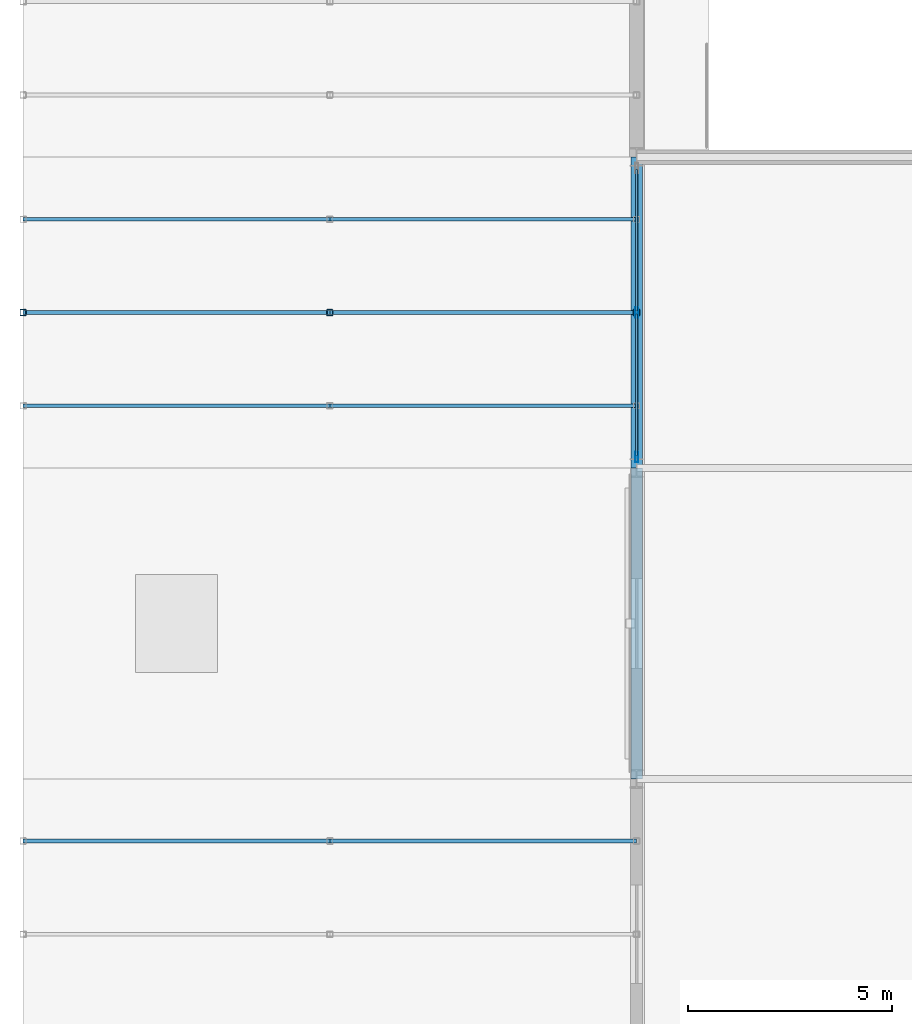
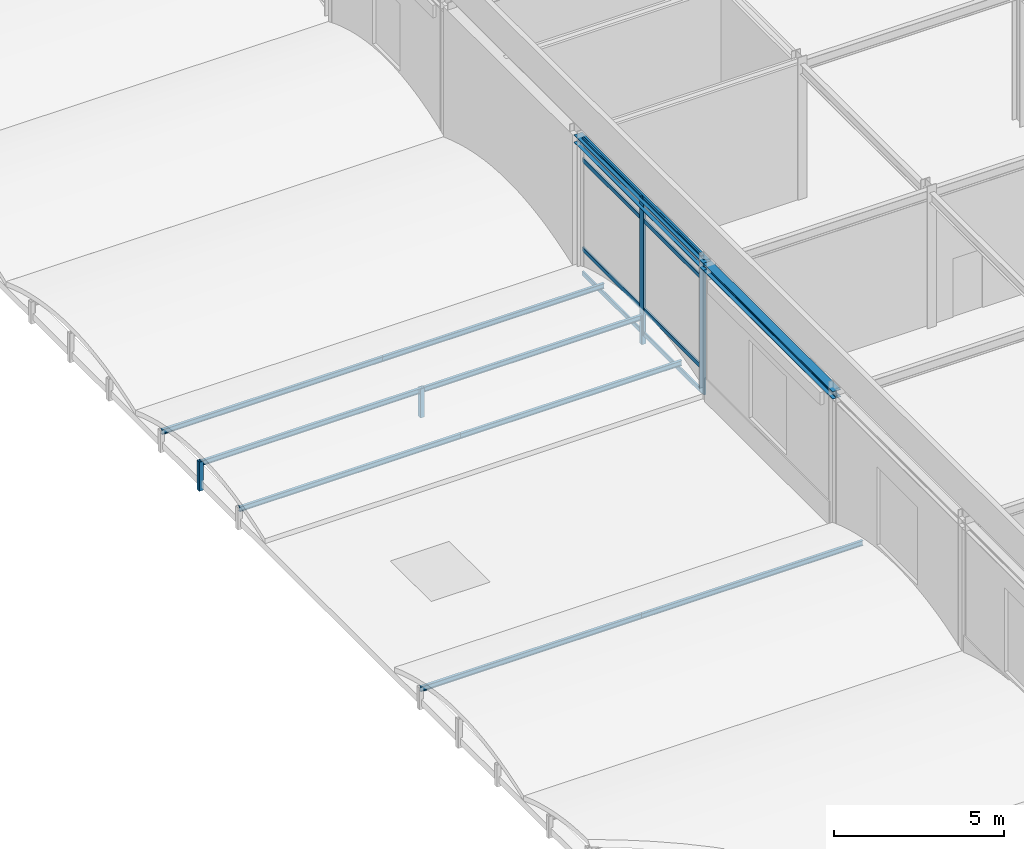
# One storey, part 37 of 113: 21 members, 2 beams, 1 element without a shape of its own.
"""IFC4 building model written with IfcOpenShell, lengths in metres."""

from ifc_helpers import new_model, si_unit, direction, frame, origin, origin_2d, place, context, subcontext, project, spatial, hollow_rectangle, i_section, extrude, material, layer, layer_set, material_profile, profile_set, type_object, element, aggregate, save


model = new_model("IFC4")

# Units and contexts
model_context = context("Model", 3, precision=1e-05, world=origin(), true_north=direction((0.0, 1.0)))
body_context = subcontext(model_context, "Body", "Model", "MODEL_VIEW")
ifc_project = project(units=[si_unit("LENGTHUNIT", "METRE"), si_unit("AREAUNIT", "SQUARE_METRE"), si_unit("VOLUMEUNIT", "CUBIC_METRE"), si_unit("PLANEANGLEUNIT", "RADIAN"), si_unit("MASSUNIT", "GRAM", prefix="KILO")], contexts=[model_context])

# Site, building, storey
site_placement = place(None, origin())
site = spatial("IfcSite", under=ifc_project, at=site_placement, CompositionType="ELEMENT")
building_placement = place(site_placement, origin())
building = spatial("IfcBuilding", under=site, at=building_placement, Name="Shalkamar Park Central Library", CompositionType="ELEMENT")
storey_placement = place(building_placement, frame((0.0, 0.0, 5.39990234375)))
storey = spatial("IfcBuildingStorey", under=building, at=storey_placement, Name="L02", CompositionType="ELEMENT", Elevation=5.39990234375)

# Curtain wall, members
ifc_material_1 = material(Name="Thermally broken aluminium and triple low-e curtain wall", Category="aluminium")
ifc_layer = layer(ifc_material_1, 0.25)
ifc_layer_set = layer_set([ifc_layer], Name="UnitisedCurtainWall_22")
curtain_wall_type = type_object("IfcCurtainWallType", Name="Unitised Curtain Wall 22", PredefinedType="USERDEFINED", material=ifc_layer_set)
curtain_wall_placement = place(storey_placement, origin())
curtain_wall = element("IfcCurtainWall", 1, at=curtain_wall_placement, inside=storey, type_object=curtain_wall_type, Name="Unitised Curtain Wall CW-L02-042", ObjectType="UNITISED CURTAIN WALL", PredefinedType="USERDEFINED")
ifc_material_2 = material(Name="Aluminium 6060-T66", Category="aluminium")
ifc_material_profile_1 = material_profile(ifc_material_2, hollow_rectangle(XDim=0.074951171875, YDim=0.25, WallThickness=0.00390625, InnerFilletRadius=0.00390625, OuterFilletRadius=0.006103515625, at=origin_2d()), Name="ALU 75x250x4")
ifc_profile_set_1 = profile_set([ifc_material_profile_1], Name="Aluminium 6060-T66")
member_type_1 = type_object("IfcMemberType", Name="Curtain Wall Mullion ALU75x250", PredefinedType="MULLION", material=ifc_profile_set_1)
member_1_placement = place(storey_placement, frame((135.0, 316.2666015625, 0.0), z_axis=(0.0, 0.0, 1.0), x_axis=(-1.0, 0.0, 0.0)))
member_1 = element("IfcMember", 2, at=member_1_placement, type_object=member_type_1, Name="CW-22 mullion 1", PredefinedType="MULLION", context=body_context, shape_type="SweptSolid", body=[
    extrude(hollow_rectangle(XDim=0.074951171875, YDim=0.25, WallThickness=0.00390625, InnerFilletRadius=0.00390625, OuterFilletRadius=0.006103515625, at=origin_2d()), origin(), (0.0, 0.0, 1.0), 4.85009765625),
])
member_2_placement = place(storey_placement, frame((135.0, 319.800048828125, 0.0), z_axis=(0.0, 0.0, 1.0), x_axis=(-1.0, 0.0, 0.0)))
member_2 = element("IfcMember", 3, at=member_2_placement, type_object=member_type_1, Name="CW-22 mullion 2", PredefinedType="MULLION", context=body_context, shape_type="SweptSolid", body=[
    extrude(hollow_rectangle(XDim=0.074951171875, YDim=0.25, WallThickness=0.00390625, InnerFilletRadius=0.00390625, OuterFilletRadius=0.006103515625, at=origin_2d()), origin(), (0.0, 0.0, 1.0), 4.85009765625),
])
ifc_material_profile_2 = material_profile(ifc_material_2, hollow_rectangle(XDim=0.06005859375, YDim=0.159912109375, WallThickness=0.00390625, InnerFilletRadius=0.00390625, OuterFilletRadius=0.006103515625, at=origin_2d()), Name="ALU 60x160x4")
ifc_profile_set_2 = profile_set([ifc_material_profile_2], Name="Aluminium 6060-T66")
member_type_2 = type_object("IfcMemberType", Name="Curtain Wall Transom ALU60x160", PredefinedType="USERDEFINED", material=ifc_profile_set_2)
member_3_placement = place(storey_placement, frame((135.0, 316.303955078125, 0.030029296875), z_axis=(0.0, 1.0, 0.0), x_axis=(-1.0, 0.0, 0.0)))
member_3 = element("IfcMember", 4, at=member_3_placement, type_object=member_type_2, Name="CW-22 transom 1.1", ObjectType="TRANSOM", PredefinedType="USERDEFINED", context=body_context, shape_type="SweptSolid", body=[
    extrude(hollow_rectangle(XDim=0.06005859375, YDim=0.159912109375, WallThickness=0.00390625, InnerFilletRadius=0.00390625, OuterFilletRadius=0.006103515625, at=origin_2d()), origin(), (0.0, 0.0, 1.0), 3.45849609375),
])
member_4_placement = place(storey_placement, frame((135.0, 316.303955078125, 0.900146484375), z_axis=(0.0, 1.0, 0.0), x_axis=(-1.0, 0.0, 0.0)))
member_4 = element("IfcMember", 5, at=member_4_placement, type_object=member_type_2, Name="CW-22 transom 1.2", ObjectType="TRANSOM", PredefinedType="USERDEFINED", context=body_context, shape_type="SweptSolid", body=[
    extrude(hollow_rectangle(XDim=0.06005859375, YDim=0.159912109375, WallThickness=0.00390625, InnerFilletRadius=0.00390625, OuterFilletRadius=0.006103515625, at=origin_2d()), origin(), (0.0, 0.0, 1.0), 3.45849609375),
])
member_5_placement = place(storey_placement, frame((135.0, 316.303955078125, 4.10009765625), z_axis=(0.0, 1.0, 0.0), x_axis=(-1.0, 0.0, 0.0)))
member_5 = element("IfcMember", 6, at=member_5_placement, type_object=member_type_2, Name="CW-22 transom 1.3", ObjectType="TRANSOM", PredefinedType="USERDEFINED", context=body_context, shape_type="SweptSolid", body=[
    extrude(hollow_rectangle(XDim=0.06005859375, YDim=0.159912109375, WallThickness=0.00390625, InnerFilletRadius=0.00390625, OuterFilletRadius=0.006103515625, at=origin_2d()), origin(), (0.0, 0.0, 1.0), 3.45849609375),
])
member_6_placement = place(storey_placement, frame((135.0, 316.303955078125, 4.820068359375), z_axis=(0.0, 1.0, 0.0), x_axis=(-1.0, 0.0, 0.0)))
member_6 = element("IfcMember", 7, at=member_6_placement, type_object=member_type_2, Name="CW-22 transom 1.4", ObjectType="TRANSOM", PredefinedType="USERDEFINED", context=body_context, shape_type="SweptSolid", body=[
    extrude(hollow_rectangle(XDim=0.06005859375, YDim=0.159912109375, WallThickness=0.00390625, InnerFilletRadius=0.00390625, OuterFilletRadius=0.006103515625, at=origin_2d()), origin(), (0.0, 0.0, 1.0), 3.45849609375),
])
member_7_placement = place(storey_placement, frame((135.0, 319.83740234375, 0.030029296875), z_axis=(0.0, 1.0, 0.0), x_axis=(-1.0, 0.0, 0.0)))
member_7 = element("IfcMember", 8, at=member_7_placement, type_object=member_type_2, Name="CW-22 transom 2.1", ObjectType="TRANSOM", PredefinedType="USERDEFINED", context=body_context, shape_type="SweptSolid", body=[
    extrude(hollow_rectangle(XDim=0.06005859375, YDim=0.159912109375, WallThickness=0.00390625, InnerFilletRadius=0.00390625, OuterFilletRadius=0.006103515625, at=origin_2d()), origin(), (0.0, 0.0, 1.0), 3.45849609375),
])
member_8_placement = place(storey_placement, frame((135.0, 319.83740234375, 0.900146484375), z_axis=(0.0, 1.0, 0.0), x_axis=(-1.0, 0.0, 0.0)))
member_8 = element("IfcMember", 9, at=member_8_placement, type_object=member_type_2, Name="CW-22 transom 2.2", ObjectType="TRANSOM", PredefinedType="USERDEFINED", context=body_context, shape_type="SweptSolid", body=[
    extrude(hollow_rectangle(XDim=0.06005859375, YDim=0.159912109375, WallThickness=0.00390625, InnerFilletRadius=0.00390625, OuterFilletRadius=0.006103515625, at=origin_2d()), origin(), (0.0, 0.0, 1.0), 3.45849609375),
])
member_9_placement = place(storey_placement, frame((135.0, 319.83740234375, 4.10009765625), z_axis=(0.0, 1.0, 0.0), x_axis=(-1.0, 0.0, 0.0)))
member_9 = element("IfcMember", 10, at=member_9_placement, type_object=member_type_2, Name="CW-22 transom 2.3", ObjectType="TRANSOM", PredefinedType="USERDEFINED", context=body_context, shape_type="SweptSolid", body=[
    extrude(hollow_rectangle(XDim=0.06005859375, YDim=0.159912109375, WallThickness=0.00390625, InnerFilletRadius=0.00390625, OuterFilletRadius=0.006103515625, at=origin_2d()), origin(), (0.0, 0.0, 1.0), 3.45849609375),
])
member_10_placement = place(storey_placement, frame((135.0, 319.83740234375, 4.820068359375), z_axis=(0.0, 1.0, 0.0), x_axis=(-1.0, 0.0, 0.0)))
member_10 = element("IfcMember", 11, at=member_10_placement, type_object=member_type_2, Name="CW-22 transom 2.4", ObjectType="TRANSOM", PredefinedType="USERDEFINED", context=body_context, shape_type="SweptSolid", body=[
    extrude(hollow_rectangle(XDim=0.06005859375, YDim=0.159912109375, WallThickness=0.00390625, InnerFilletRadius=0.00390625, OuterFilletRadius=0.006103515625, at=origin_2d()), origin(), (0.0, 0.0, 1.0), 3.45849609375),
])
aggregate(curtain_wall, [member_1, member_2, member_3, member_4, member_5, member_6, member_7, member_8, member_9, member_10])

# Members
ifc_material_3 = material(Name="Steel S355", Category="steel")
ifc_material_profile_3 = material_profile(ifc_material_3, hollow_rectangle(XDim=0.14990234375, YDim=0.14990234375, WallThickness=0.008056640625, InnerFilletRadius=0.008056640625, OuterFilletRadius=0.011962890625, at=origin_2d()), Name="SHS 150x150x8")
ifc_profile_set_3 = profile_set([ifc_material_profile_3], Name="Steel S355")
member_type_3 = type_object("IfcMemberType", Name="Diagonal Brace SHS150", PredefinedType="BRACE", material=ifc_profile_set_3)
for number, where, z_axis, x_axis, name in (
    (12, (120.0, 319.800048828125, -0.35986328125), (0.0, 0.0, 1.0), (1.0, 0.0, 0.0), "Vault Arch Post BV-L01-W8-01.2"),
    (13, (127.5, 319.800048828125, -0.35986328125), (0.0, 0.0, 1.0), (1.0, 0.0, 0.0), "Vault Arch Post BV-L01-W8-02.2"),
    (14, (135.0, 319.800048828125, -0.35986328125), (0.0, 0.0, 1.0), (1.0, 0.0, 0.0), "Vault Arch Post BV-L01-W8-03.2"),
):
    element("IfcMember", number, at=place(storey_placement, frame(where, z_axis=z_axis, x_axis=x_axis)), inside=storey, type_object=member_type_3, Name=name, PredefinedType="BRACE", context=body_context, shape_type="SweptSolid", body=[
        extrude(hollow_rectangle(XDim=0.14990234375, YDim=0.14990234375, WallThickness=0.008056640625, InnerFilletRadius=0.008056640625, OuterFilletRadius=0.011962890625, at=origin_2d()), origin(), (0.0, 0.0, 1.0), 1.0400390625),
    ])

# Beams
ifc_material_profile_4 = material_profile(ifc_material_3, i_section(OverallWidth=0.280029296875, OverallDepth=0.27001953125, WebThickness=0.008056640625, FlangeThickness=0.012939453125, FilletRadius=0.02392578125, at=origin_2d()), Name="HEA 280")
ifc_profile_set_4 = profile_set([ifc_material_profile_4], Name="Steel S355")
beam_type = type_object("IfcBeamType", Name="Perimeter Spandrel Beam HEA280", PredefinedType="SPANDREL", material=ifc_profile_set_4)
for number, where, z_axis, x_axis, name in (
    (15, (135.0, 308.39990234375, 4.715087890625), (0.0, 1.0, 0.0), (-1.0, 0.0, 0.0), "Beam 03:K-L (L02)"),
    (16, (135.0, 316.0, 4.715087890625), (0.0, 1.0, 0.0), (-1.0, 0.0, 0.0), "Beam 03:L-M (L02)"),
):
    element("IfcBeam", number, at=place(storey_placement, frame(where, z_axis=z_axis, x_axis=x_axis)), inside=storey, type_object=beam_type, Name=name, PredefinedType="SPANDREL", context=body_context, shape_type="SweptSolid", body=[
        extrude(i_section(OverallWidth=0.280029296875, OverallDepth=0.27001953125, WebThickness=0.008056640625, FlangeThickness=0.012939453125, FilletRadius=0.02392578125, at=origin_2d()), origin(), (0.0, 0.0, 1.0), 7.60009765625),
    ])

# Members
ifc_material_profile_5 = material_profile(ifc_material_3, i_section(OverallWidth=0.091064453125, OverallDepth=0.179931640625, WebThickness=0.00537109375, FlangeThickness=0.008056640625, FilletRadius=0.009033203125, at=origin_2d()), Name="IPE 180")
ifc_profile_set_5 = profile_set([ifc_material_profile_5], Name="Steel S355")
member_type_4 = type_object("IfcMemberType", Name="Roof Purlin IPE180", PredefinedType="PURLIN", material=ifc_profile_set_5)
for number, where, z_axis, x_axis, name in (
    (17, (120.0, 306.8798828125, 0.330810546875), (1.0, 0.0, 0.0), (0.0, 1.0, 0.0), "Barrel Roof Purlin BV-L01-W7-3.01"),
    (18, (127.5, 306.8798828125, 0.330810546875), (1.0, 0.0, 0.0), (0.0, 1.0, 0.0), "Barrel Roof Purlin BV-L01-W7-3.02"),
    (19, (120.0, 317.52001953125, 0.330810546875), (1.0, 0.0, 0.0), (0.0, 1.0, 0.0), "Barrel Roof Purlin BV-L01-W8-1.01"),
    (20, (127.5, 317.52001953125, 0.330810546875), (1.0, 0.0, 0.0), (0.0, 1.0, 0.0), "Barrel Roof Purlin BV-L01-W8-1.02"),
    (21, (120.0, 319.800048828125, 0.590087890625), (1.0, 0.0, 0.0), (0.0, 1.0, 0.0), "Barrel Roof Purlin BV-L01-W8-2.01"),
    (22, (127.5, 319.800048828125, 0.590087890625), (1.0, 0.0, 0.0), (0.0, 1.0, 0.0), "Barrel Roof Purlin BV-L01-W8-2.02"),
    (23, (120.0, 322.080078125, 0.330810546875), (1.0, 0.0, 0.0), (0.0, 1.0, 0.0), "Barrel Roof Purlin BV-L01-W8-3.01"),
    (24, (127.5, 322.080078125, 0.330810546875), (1.0, 0.0, 0.0), (0.0, 1.0, 0.0), "Barrel Roof Purlin BV-L01-W8-3.02"),
):
    element("IfcMember", number, at=place(storey_placement, frame(where, z_axis=z_axis, x_axis=x_axis)), inside=storey, type_object=member_type_4, Name=name, PredefinedType="PURLIN", context=body_context, shape_type="SweptSolid", body=[
        extrude(i_section(OverallWidth=0.091064453125, OverallDepth=0.179931640625, WebThickness=0.00537109375, FlangeThickness=0.008056640625, FilletRadius=0.009033203125, at=origin_2d()), origin(), (0.0, 0.0, 1.0), 7.5),
    ])

save(model, "model.ifc")
